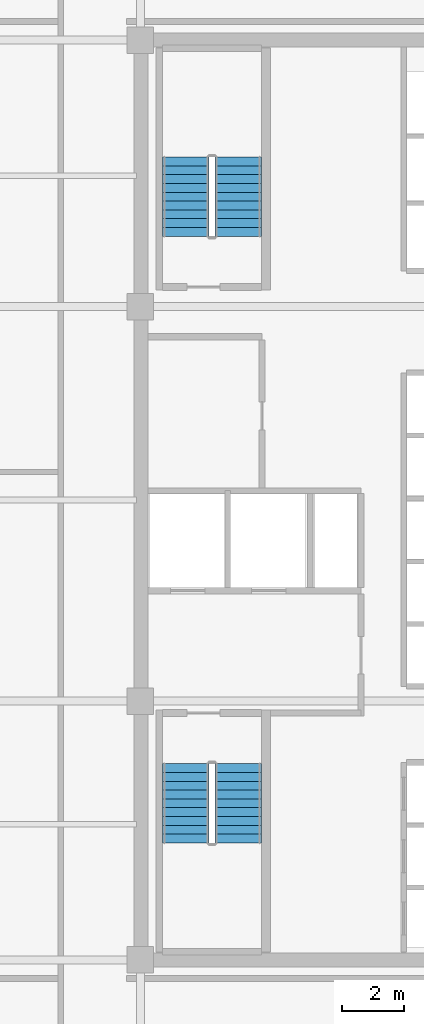
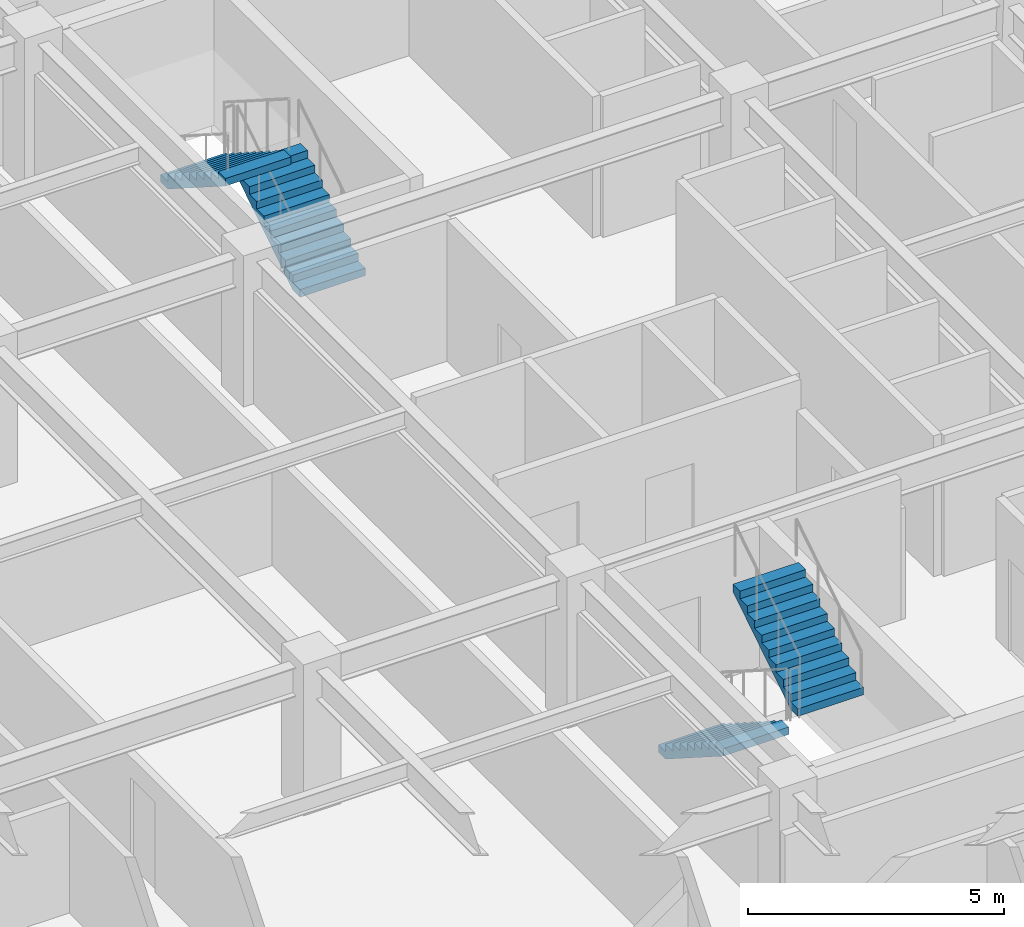
# One storey, part 12 of 13: 4 stair flights, 2 elements without a shape of their own.
"""IFC4 building model written with IfcOpenShell, lengths in metres."""

from ifc_helpers import new_model, si_unit, direction, frame, origin, place, context, subcontext, project, spatial, polyline, outline, extrude, material, type_object, element, aggregate, save


model = new_model("IFC4")

# Units and contexts
model_context = context("Model", 3, precision=1e-05, world=origin(), true_north=direction((0.0, 1.0)))
body_context = subcontext(model_context, "Body", "Model", "MODEL_VIEW")
ifc_project = project(units=[si_unit("LENGTHUNIT", "METRE"), si_unit("AREAUNIT", "SQUARE_METRE"), si_unit("VOLUMEUNIT", "CUBIC_METRE"), si_unit("PLANEANGLEUNIT", "RADIAN"), si_unit("MASSUNIT", "GRAM", prefix="KILO")], contexts=[model_context])

# Site, building, storey
site_placement = place(None, origin())
site = spatial("IfcSite", under=ifc_project, at=site_placement, CompositionType="ELEMENT")
building_placement = place(site_placement, origin())
building = spatial("IfcBuilding", under=site, at=building_placement, Name="Ochreholt Gables", CompositionType="ELEMENT")
storey_placement = place(building_placement, frame((0.0, 0.0, 34.800048828125)))
storey = spatial("IfcBuildingStorey", under=building, at=storey_placement, Name="L08", CompositionType="ELEMENT", Elevation=34.800048828125)

# Stair, stair flights
ifc_material = material(Name="Concrete 40 MPa", Category="concrete")
stair_type_1 = type_object("IfcStairType", Name="STAIR-CORE-ST-1", PredefinedType="HALF_TURN_STAIR", material=ifc_material)
stair_1_placement = place(storey_placement, origin())
stair_1 = element("IfcStair", 1, at=stair_1_placement, inside=storey, type_object=stair_type_1, Name="L08 Core Exit Stair 1", PredefinedType="HALF_TURN_STAIR")
stair_flight_type = type_object("IfcStairFlightType", Name="FLIGHT-ST-1480-1800", PredefinedType="STRAIGHT", material=ifc_material)
stair_flight_1_placement = place(storey_placement, frame((25.659912109375, 15.5400390625, 0.0), z_axis=(0.0, 0.0, 1.0), x_axis=(0.0, -1.0, 0.0)))
stair_flight_1 = element("IfcStairFlight", 2, at=stair_flight_1_placement, type_object=stair_flight_type, Name="ST-1 flight 1", NumberOfRisers=10, NumberOfTreads=9, PredefinedType="STRAIGHT", RiserHeight=0.18, TreadLength=0.282, context=body_context, shape_type="SweptSolid", body=[
    extrude(outline(polyline([(0.0, 0.0), (0.0, 0.179931640625), (0.281982421875, 0.179931640625), (0.281982421875, 0.360107421875), (0.56396484375, 0.360107421875), (0.56396484375, 0.5400390625), (0.845947265625, 0.5400390625), (0.845947265625, 0.719970703125), (1.1279296875, 0.719970703125), (1.1279296875, 0.89990234375), (1.409912109375, 0.89990234375), (1.409912109375, 1.080078125), (1.69189453125, 1.080078125), (1.69189453125, 1.260009765625), (1.97412109375, 1.260009765625), (1.97412109375, 1.43994140625), (2.256103515625, 1.43994140625), (2.256103515625, 1.6201171875), (2.5380859375, 1.6201171875), (2.5380859375, 1.800048828125), (2.5380859375, 1.442138671875), (0.278564453125, 0.0), (0.0, 0.0)])), frame((0.0, 0.739990234375, 0.0), z_axis=(0.0, -1.0, 0.0), x_axis=(1.0, 0.0, 0.0)), (0.0, 0.0, 1.0), 1.47998046875),
])
stair_flight_2_placement = place(storey_placement, frame((27.340087890625, 13.001953125, 1.800048828125), z_axis=(0.0, 0.0, 1.0), x_axis=(0.0, 1.0, 0.0)))
stair_flight_2 = element("IfcStairFlight", 3, at=stair_flight_2_placement, type_object=stair_flight_type, Name="ST-1 flight 2", NumberOfRisers=10, NumberOfTreads=9, PredefinedType="STRAIGHT", RiserHeight=0.18, TreadLength=0.282, context=body_context, shape_type="SweptSolid", body=[
    extrude(outline(polyline([(0.0, 0.0), (0.0, 0.179931640625), (0.281982421875, 0.179931640625), (0.281982421875, 0.360107421875), (0.56396484375, 0.360107421875), (0.56396484375, 0.5400390625), (0.845947265625, 0.5400390625), (0.845947265625, 0.719970703125), (1.1279296875, 0.719970703125), (1.1279296875, 0.89990234375), (1.409912109375, 0.89990234375), (1.409912109375, 1.080078125), (1.69189453125, 1.080078125), (1.69189453125, 1.260009765625), (1.97412109375, 1.260009765625), (1.97412109375, 1.43994140625), (2.256103515625, 1.43994140625), (2.256103515625, 1.6201171875), (2.5380859375, 1.6201171875), (2.5380859375, 1.800048828125), (2.5380859375, 1.442138671875), (0.278564453125, 0.0), (0.0, 0.0)])), frame((0.0, 0.739990234375, 0.0), z_axis=(0.0, -1.0, 0.0), x_axis=(1.0, 0.0, 0.0)), (0.0, 0.0, 1.0), 1.47998046875),
])
aggregate(stair_1, [stair_flight_1, stair_flight_2])

stair_type_2 = type_object("IfcStairType", Name="STAIR-CORE-ST-2", PredefinedType="HALF_TURN_STAIR", material=ifc_material)
stair_2_placement = place(storey_placement, origin())
stair_2 = element("IfcStair", 4, at=stair_2_placement, inside=storey, type_object=stair_type_2, Name="L08 Core Exit Stair 2", PredefinedType="HALF_TURN_STAIR")
stair_flight_3_placement = place(storey_placement, frame((27.340087890625, 32.4599609375, 0.0), z_axis=(0.0, 0.0, 1.0), x_axis=(0.0, 1.0, 0.0)))
stair_flight_3 = element("IfcStairFlight", 5, at=stair_flight_3_placement, type_object=stair_flight_type, Name="ST-2 flight 1", NumberOfRisers=10, NumberOfTreads=9, PredefinedType="STRAIGHT", RiserHeight=0.18, TreadLength=0.282, context=body_context, shape_type="SweptSolid", body=[
    extrude(outline(polyline([(0.0, 0.0), (0.0, 0.179931640625), (0.281982421875, 0.179931640625), (0.281982421875, 0.360107421875), (0.56396484375, 0.360107421875), (0.56396484375, 0.5400390625), (0.845947265625, 0.5400390625), (0.845947265625, 0.719970703125), (1.1279296875, 0.719970703125), (1.1279296875, 0.89990234375), (1.409912109375, 0.89990234375), (1.409912109375, 1.080078125), (1.69189453125, 1.080078125), (1.69189453125, 1.260009765625), (1.97412109375, 1.260009765625), (1.97412109375, 1.43994140625), (2.256103515625, 1.43994140625), (2.256103515625, 1.6201171875), (2.5380859375, 1.6201171875), (2.5380859375, 1.800048828125), (2.5380859375, 1.442138671875), (0.278564453125, 0.0), (0.0, 0.0)])), frame((0.0, 0.739990234375, 0.0), z_axis=(0.0, -1.0, 0.0), x_axis=(1.0, 0.0, 0.0)), (0.0, 0.0, 1.0), 1.47998046875),
])
stair_flight_4_placement = place(storey_placement, frame((25.659912109375, 34.998046875, 1.800048828125), z_axis=(0.0, 0.0, 1.0), x_axis=(0.0, -1.0, 0.0)))
stair_flight_4 = element("IfcStairFlight", 6, at=stair_flight_4_placement, type_object=stair_flight_type, Name="ST-2 flight 2", NumberOfRisers=10, NumberOfTreads=9, PredefinedType="STRAIGHT", RiserHeight=0.18, TreadLength=0.282, context=body_context, shape_type="SweptSolid", body=[
    extrude(outline(polyline([(0.0, 0.0), (0.0, 0.179931640625), (0.281982421875, 0.179931640625), (0.281982421875, 0.360107421875), (0.56396484375, 0.360107421875), (0.56396484375, 0.5400390625), (0.845947265625, 0.5400390625), (0.845947265625, 0.719970703125), (1.1279296875, 0.719970703125), (1.1279296875, 0.89990234375), (1.409912109375, 0.89990234375), (1.409912109375, 1.080078125), (1.69189453125, 1.080078125), (1.69189453125, 1.260009765625), (1.97412109375, 1.260009765625), (1.97412109375, 1.43994140625), (2.256103515625, 1.43994140625), (2.256103515625, 1.6201171875), (2.5380859375, 1.6201171875), (2.5380859375, 1.800048828125), (2.5380859375, 1.442138671875), (0.278564453125, 0.0), (0.0, 0.0)])), frame((0.0, 0.739990234375, 0.0), z_axis=(0.0, -1.0, 0.0), x_axis=(1.0, 0.0, 0.0)), (0.0, 0.0, 1.0), 1.47998046875),
])
aggregate(stair_2, [stair_flight_3, stair_flight_4])

save(model, "model.ifc")
